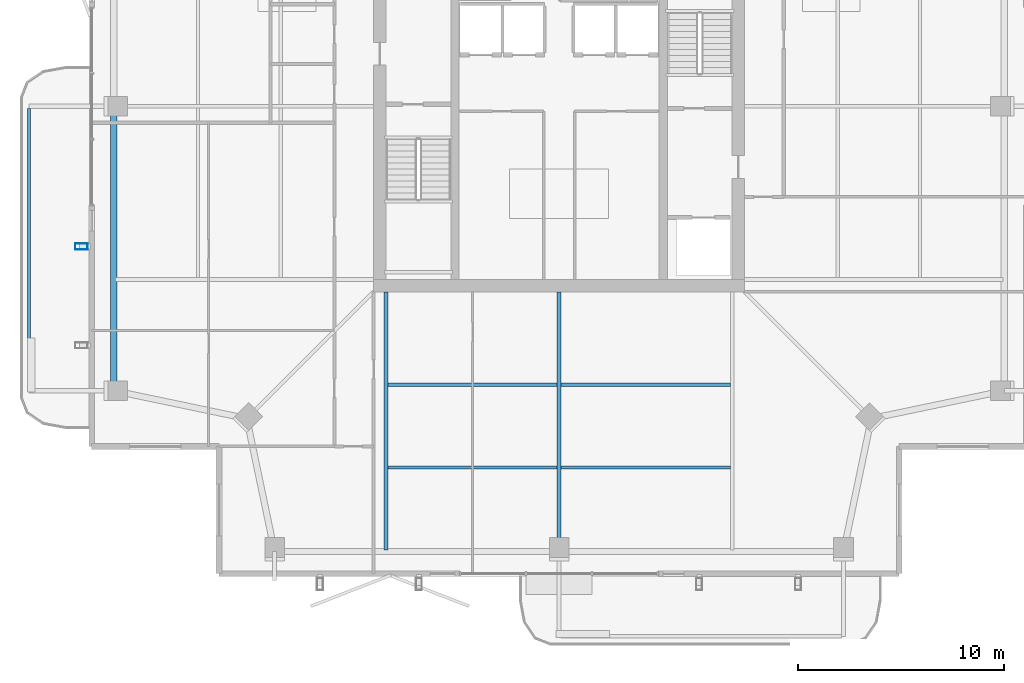
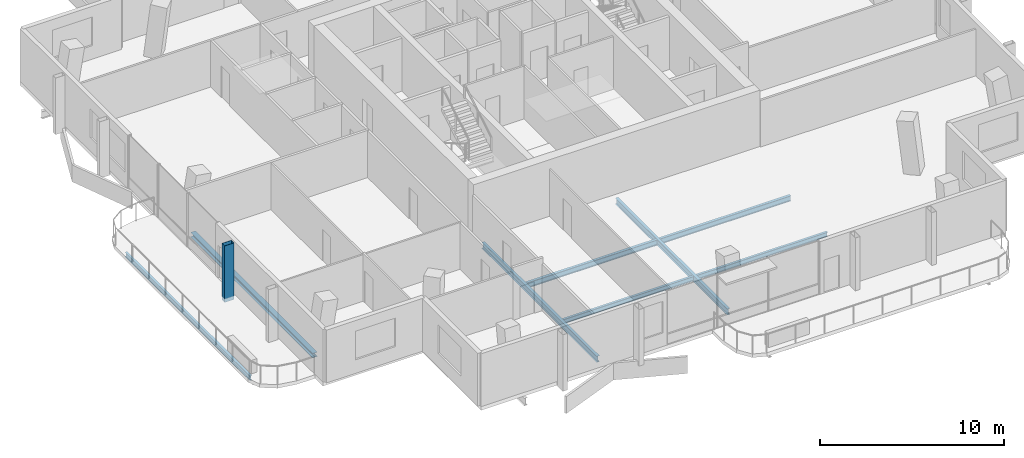
# One storey, part 5 of 20: 8 beams, 1 member.
"""IFC4 building model written with IfcOpenShell, lengths in metres."""

from ifc_helpers import new_model, si_unit, direction, frame, origin, origin_2d, place, context, subcontext, project, spatial, hollow_rectangle, i_section, extrude, material, material_profile, profile_set, type_object, element, save


model = new_model("IFC4")

# Units and contexts
model_context = context("Model", 3, precision=1e-05, world=origin(), true_north=direction((0.0, 1.0)))
body_context = subcontext(model_context, "Body", "Model", "MODEL_VIEW")
ifc_project = project(units=[si_unit("LENGTHUNIT", "METRE"), si_unit("AREAUNIT", "SQUARE_METRE"), si_unit("VOLUMEUNIT", "CUBIC_METRE"), si_unit("PLANEANGLEUNIT", "RADIAN"), si_unit("MASSUNIT", "GRAM", prefix="KILO")], contexts=[model_context])

# Site, building, storey
site_placement = place(None, origin())
site = spatial("IfcSite", under=ifc_project, at=site_placement, CompositionType="ELEMENT")
building_placement = place(site_placement, origin())
building = spatial("IfcBuilding", under=site, at=building_placement, Name="Belovzor Exchange Tower", CompositionType="ELEMENT")
storey_placement = place(building_placement, frame((0.0, 0.0, 329.25)))
storey = spatial("IfcBuildingStorey", under=building, at=storey_placement, Name="L82", CompositionType="ELEMENT", Elevation=329.25)

# Beams
ifc_material_1 = material(Name="Steel S355", Category="steel")
ifc_material_profile_1 = material_profile(ifc_material_1, i_section(OverallWidth=0.14990234375, OverallDepth=0.300048828125, WebThickness=0.007080078125, FlangeThickness=0.0107421875, at=origin_2d()))
ifc_profile_set_1 = profile_set([ifc_material_profile_1], Name="Steel S355")
beam_type_1 = type_object("IfcBeamType", Name="Planted Balcony Fascia Edge Beam IPE 300", PredefinedType="BEAM", material=ifc_profile_set_1)
beam_1_placement = place(storey_placement, frame((3.089111328125, 28.699951171875, -0.389892578125), z_axis=(0.0, -1.0, 0.0), x_axis=(1.0, 0.0, 0.0)))
element("IfcBeam", 1, at=beam_1_placement, inside=storey, type_object=beam_type_1, Name="BC-300 Planted Balcony Fascia Edge Beam IPE 300", PredefinedType="BEAM", context=body_context, shape_type="SweptSolid", body=[
    extrude(i_section(OverallWidth=0.14990234375, OverallDepth=0.300048828125, WebThickness=0.007080078125, FlangeThickness=0.0107421875, at=origin_2d()), origin(), (0.0, 0.0, 1.0), 13.599853515625),
])
ifc_material_2 = material(Name="Steel S355", Category="steel")
ifc_material_profile_2 = material_profile(ifc_material_2, i_section(OverallWidth=0.169921875, OverallDepth=0.360107421875, WebThickness=0.008056640625, FlangeThickness=0.0126953125, at=origin_2d()))
ifc_profile_set_2 = profile_set([ifc_material_profile_2], Name="Steel S355")
beam_type_2 = type_object("IfcBeamType", Name="Secondary Infill Floor Joist IPE 360", PredefinedType="BEAM", material=ifc_profile_set_2)
beam_2_placement = place(storey_placement, frame((20.489990234375, 15.291015625, -0.419921875), z_axis=(1.0, 0.0, 0.0), x_axis=(0.0, 1.0, 0.0)))
element("IfcBeam", 2, at=beam_2_placement, inside=storey, type_object=beam_type_2, Name="FJ-360 Secondary Infill Floor Joist IPE 360", PredefinedType="BEAM", context=body_context, shape_type="SweptSolid", body=[
    extrude(i_section(OverallWidth=0.169921875, OverallDepth=0.360107421875, WebThickness=0.008056640625, FlangeThickness=0.0126953125, at=origin_2d()), origin(), (0.0, 0.0, 1.0), 8.219970703125),
])
beam_3_placement = place(storey_placement, frame((28.889892578125, 15.291015625, -0.419921875), z_axis=(1.0, 0.0, 0.0), x_axis=(0.0, 1.0, 0.0)))
element("IfcBeam", 3, at=beam_3_placement, inside=storey, type_object=beam_type_2, Name="FJ-360 Secondary Infill Floor Joist IPE 360", PredefinedType="BEAM", context=body_context, shape_type="SweptSolid", body=[
    extrude(i_section(OverallWidth=0.169921875, OverallDepth=0.360107421875, WebThickness=0.008056640625, FlangeThickness=0.0126953125, at=origin_2d()), origin(), (0.0, 0.0, 1.0), 8.22021484375),
])
ifc_material_3 = material(Name="Steel S355", Category="steel")
ifc_material_profile_3 = material_profile(ifc_material_3, i_section(OverallWidth=0.14990234375, OverallDepth=0.300048828125, WebThickness=0.007080078125, FlangeThickness=0.0107421875, at=origin_2d()))
ifc_profile_set_3 = profile_set([ifc_material_profile_3], Name="Steel S355")
beam_type_3 = type_object("IfcBeamType", Name="Secondary Trim Floor Joist IPE 300", PredefinedType="BEAM", material=ifc_profile_set_3)
beam_4_placement = place(storey_placement, frame((20.489990234375, 11.282958984375, -0.389892578125), z_axis=(1.0, 0.0, 0.0), x_axis=(0.0, 1.0, 0.0)))
element("IfcBeam", 4, at=beam_4_placement, inside=storey, type_object=beam_type_3, Name="FJ-300 Secondary Trim Floor Joist IPE 300", PredefinedType="BEAM", context=body_context, shape_type="SweptSolid", body=[
    extrude(i_section(OverallWidth=0.14990234375, OverallDepth=0.300048828125, WebThickness=0.007080078125, FlangeThickness=0.0107421875, at=origin_2d()), origin(), (0.0, 0.0, 1.0), 8.219970703125),
])
beam_5_placement = place(storey_placement, frame((28.889892578125, 11.282958984375, -0.389892578125), z_axis=(1.0, 0.0, 0.0), x_axis=(0.0, 1.0, 0.0)))
element("IfcBeam", 5, at=beam_5_placement, inside=storey, type_object=beam_type_3, Name="FJ-300 Secondary Trim Floor Joist IPE 300", PredefinedType="BEAM", context=body_context, shape_type="SweptSolid", body=[
    extrude(i_section(OverallWidth=0.14990234375, OverallDepth=0.300048828125, WebThickness=0.007080078125, FlangeThickness=0.0107421875, at=origin_2d()), origin(), (0.0, 0.0, 1.0), 8.22021484375),
])

# Member
ifc_material_4 = material(Name="Extruded Architectural Terracotta on Steel S355 Carrier", Category="masonry")
ifc_material_profile_4 = material_profile(ifc_material_4, hollow_rectangle(XDim=0.300048828125, YDim=0.60009765625, WallThickness=0.01611328125, at=origin_2d()))
ifc_profile_set_4 = profile_set([ifc_material_profile_4], Name="Extruded Architectural Terracotta on Steel S355 Carrier")
member_type = type_object("IfcMemberType", Name="Upper Crown Terracotta Fin Assembly 550", PredefinedType="USERDEFINED", material=ifc_profile_set_4)
member_placement = place(storey_placement, frame((5.625, 22.0, -0.239990234375), z_axis=(0.0, 0.0, 1.0), x_axis=(0.0, 1.0, 0.0)))
element("IfcMember", 6, at=member_placement, inside=storey, type_object=member_type, Name="FIN-TC055 Terracotta Facade Fin L82 W2", ObjectType="FIN", PredefinedType="USERDEFINED", context=body_context, shape_type="SweptSolid", body=[
    extrude(hollow_rectangle(XDim=0.300048828125, YDim=0.60009765625, WallThickness=0.01611328125, at=origin_2d()), origin(), (0.0, 0.0, 1.0), 3.75),
])

# Beams
ifc_material_5 = material(Name="Steel S355", Category="steel")
ifc_material_profile_5 = material_profile(ifc_material_5, i_section(OverallWidth=0.179931640625, OverallDepth=0.39990234375, WebThickness=0.008544921875, FlangeThickness=0.013427734375, at=origin_2d()))
ifc_profile_set_5 = profile_set([ifc_material_profile_5], Name="Steel S355")
beam_type_4 = type_object("IfcBeamType", Name="Zone 5-6 Radial Composite Floor Beam IPE 400", PredefinedType="BEAM", material=ifc_profile_set_5)
beam_6_placement = place(storey_placement, frame((20.39990234375, 19.800048828125, -0.43994140625), z_axis=(0.0, -1.0, 0.0), x_axis=(1.0, 0.0, 0.0)))
element("IfcBeam", 7, at=beam_6_placement, inside=storey, type_object=beam_type_4, Name="FB-400 Zone 5-6 Radial Composite Floor Beam IPE 400", PredefinedType="BEAM", context=body_context, shape_type="SweptSolid", body=[
    extrude(i_section(OverallWidth=0.179931640625, OverallDepth=0.39990234375, WebThickness=0.008544921875, FlangeThickness=0.013427734375, at=origin_2d()), origin(), (0.0, 0.0, 1.0), 12.525146484375),
])
beam_7_placement = place(storey_placement, frame((28.800048828125, 19.800048828125, -0.43994140625), z_axis=(0.0, -1.0, 0.0), x_axis=(1.0, 0.0, 0.0)))
element("IfcBeam", 8, at=beam_7_placement, inside=storey, type_object=beam_type_4, Name="FB-400 Zone 5-6 Radial Composite Floor Beam IPE 400", PredefinedType="BEAM", context=body_context, shape_type="SweptSolid", body=[
    extrude(i_section(OverallWidth=0.179931640625, OverallDepth=0.39990234375, WebThickness=0.008544921875, FlangeThickness=0.013427734375, at=origin_2d()), origin(), (0.0, 0.0, 1.0), 12.18212890625),
])
ifc_material_6 = material(Name="Steel S355", Category="steel")
ifc_material_profile_6 = material_profile(ifc_material_6, i_section(OverallWidth=0.300048828125, OverallDepth=0.300048828125, WebThickness=0.008544921875, FlangeThickness=0.013916015625, at=origin_2d()))
ifc_profile_set_6 = profile_set([ifc_material_profile_6], Name="Steel S355")
beam_type_5 = type_object("IfcBeamType", Name="Zone 6 Primary Girder HEA 300", PredefinedType="BEAM", material=ifc_profile_set_6)
beam_8_placement = place(storey_placement, frame((7.199951171875, 28.5390625, -0.389892578125), z_axis=(0.0, -1.0, 0.0), x_axis=(1.0, 0.0, 0.0)))
element("IfcBeam", 9, at=beam_8_placement, inside=storey, type_object=beam_type_5, Name="FG-Z6 Zone 6 Primary Girder HEA 300", PredefinedType="BEAM", context=body_context, shape_type="SweptSolid", body=[
    extrude(i_section(OverallWidth=0.300048828125, OverallDepth=0.300048828125, WebThickness=0.008544921875, FlangeThickness=0.013916015625, at=origin_2d()), origin(), (0.0, 0.0, 1.0), 13.278076171875),
])

save(model, "model.ifc")
